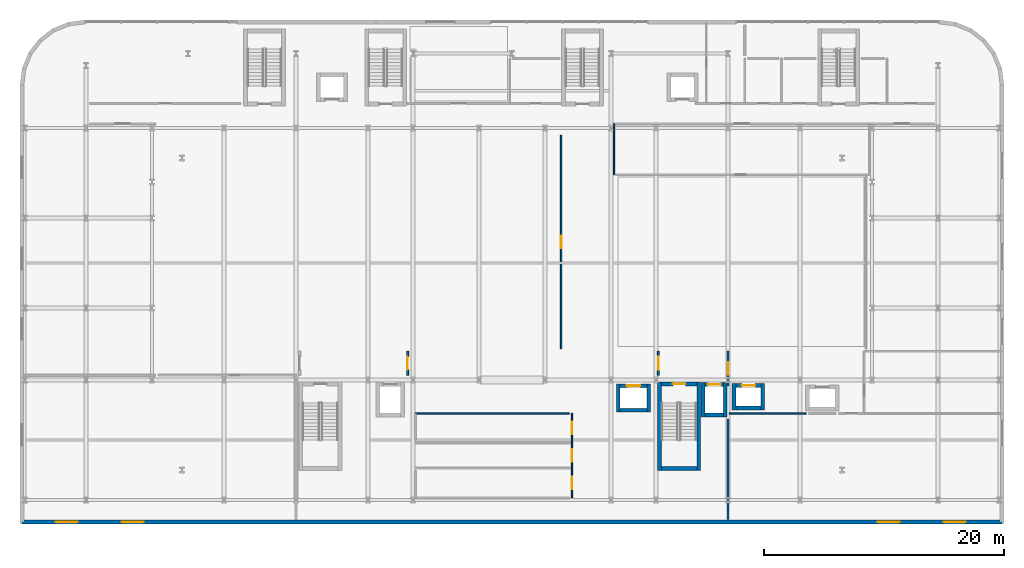
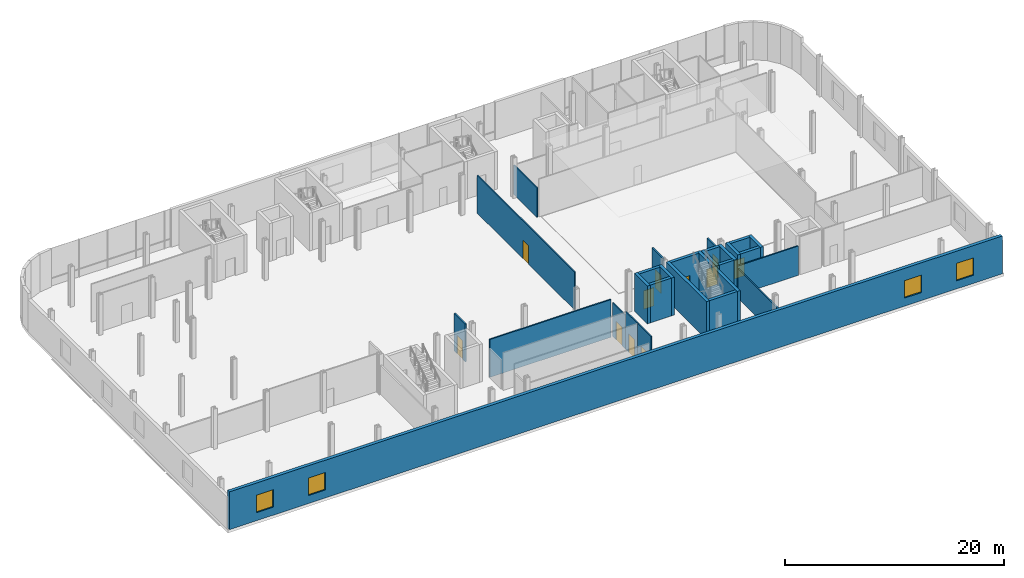
# One storey, part 18 of 25: 28 walls, 11 doors, 4 windows, 15 openings.
"""IFC4 building model written with IfcOpenShell, lengths in metres."""

from ifc_helpers import new_model, si_unit, direction, frame, frame_2d, origin, place, context, subcontext, project, spatial, rectangle, extrude, material, layer, layer_set, type_object, element, fill, save


model = new_model("IFC4")

# Units and contexts
model_context = context("Model", 3, precision=1e-05, world=origin(), true_north=direction((0.0, 1.0)))
body_context = subcontext(model_context, "Body", "Model", "MODEL_VIEW")
ifc_project = project(units=[si_unit("LENGTHUNIT", "METRE"), si_unit("AREAUNIT", "SQUARE_METRE"), si_unit("VOLUMEUNIT", "CUBIC_METRE"), si_unit("PLANEANGLEUNIT", "RADIAN"), si_unit("MASSUNIT", "GRAM", prefix="KILO")], contexts=[model_context])

# Site, building, storey
site_placement = place(None, origin())
site = spatial("IfcSite", under=ifc_project, at=site_placement, CompositionType="ELEMENT")
building_placement = place(site_placement, origin())
building = spatial("IfcBuilding", under=site, at=building_placement, Name="Brevholm Reach", CompositionType="ELEMENT")
storey_placement = place(building_placement, frame((0.0, 0.0, 4.5)))
storey = spatial("IfcBuildingStorey", under=building, at=storey_placement, Name="L01", CompositionType="ELEMENT", Elevation=4.5)

# Walls
ifc_material_1 = material(Name="Concrete C60/75", Category="concrete")
ifc_layer_1 = layer(ifc_material_1, 0.320068359375)
ifc_layer_set_1 = layer_set([ifc_layer_1], Name="Concrete C60/75")
wall_type_1 = type_object("IfcWallType", Name="WAL-COR-320", PredefinedType="SHEAR", material=ifc_layer_set_1)
for number, where, z_axis, x_axis, name in (
    (1, (42.2900390625, 2.4599609375, 0.0), (0.0, 0.0, 1.0), (0.0, 1.0, 0.0), "L01 Escape Stair ST-2 Core Wall W"),
    (2, (45.56005859375, 2.4599609375, 0.0), (0.0, 0.0, 1.0), (0.0, 1.0, 0.0), "L01 Escape Stair ST-2 Core Wall E"),
):
    element("IfcWall", number, at=place(storey_placement, frame(where, z_axis=z_axis, x_axis=x_axis)), inside=storey, type_object=wall_type_1, Name=name, PredefinedType="SHEAR", context=body_context, shape_type="SweptSolid", body=[
        extrude(rectangle(XDim=7.360107421875, YDim=0.320068359375, at=frame_2d((3.68017578125, 0.0))), origin(), (0.0, 0.0, 1.0), 4.219970703125),
    ])
wall_1_placement = place(storey_placement, frame((42.449951171875, 2.6201171875, 0.0), z_axis=(0.0, 0.0, 1.0), x_axis=(1.0, 0.0, 0.0)))
element("IfcWall", 3, at=wall_1_placement, inside=storey, type_object=wall_type_1, Name="L01 Escape Stair ST-2 Core Wall S", PredefinedType="SHEAR", context=body_context, shape_type="SweptSolid", body=[
    extrude(rectangle(XDim=2.949951171875, YDim=0.320068359375, at=frame_2d((1.47509765625, 0.0))), origin(), (0.0, 0.0, 1.0), 4.219970703125),
])

# Wall, opening, door
wall_2_placement = place(storey_placement, frame((45.39990234375, 9.659912109375, 0.0), z_axis=(0.0, 0.0, 1.0), x_axis=(-1.0, 0.0, 0.0)))
wall_2 = element("IfcWall", 4, at=wall_2_placement, inside=storey, type_object=wall_type_1, Name="L01 Escape Stair ST-2 Core Wall N", PredefinedType="SHEAR", context=body_context, shape_type="SweptSolid", body=[
    extrude(rectangle(XDim=2.949951171875, YDim=0.320068359375, at=frame_2d((1.47509765625, 0.0))), origin(), (0.0, 0.0, 1.0), 4.219970703125),
])
opening_1_placement = place(wall_2_placement, frame((0.949951171875, 0.0, 0.0)))
opening_1 = element("IfcOpeningElement", 5, at=opening_1_placement, cuts=wall_2, Name="Opening SD-ST-2", PredefinedType="OPENING", context=body_context, shape_type="SweptSolid", body=[
    extrude(rectangle(XDim=1.050048828125, YDim=2.06005859375, at=frame_2d((0.52490234375, 1.030029296875))), frame((0.0, 0.169921875, 0.0), z_axis=(0.0, -1.0, 0.0), x_axis=(1.0, 0.0, 0.0)), (0.0, 0.0, 1.0), 0.340087890625),
])
ifc_material_2 = material(Name="Hardwood-Lipped Steel-Core Fire and Smoke Door", Category="steel")
door_type_1 = type_object("IfcDoorType", Name="DOR-INT-FD60S", OperationType="NOTDEFINED", PredefinedType="DOOR", material=ifc_material_2)
door_1_placement = place(opening_1_placement, origin())
door_1 = element("IfcDoor", 6, at=door_1_placement, inside=storey, type_object=door_type_1, Name="L01 Protected Stair ST-2 Lobby Door", OperationType="SINGLE_SWING_RIGHT", OverallHeight=2.06005859375, OverallWidth=1.050048828125, PredefinedType="DOOR", context=body_context, shape_type="SweptSolid", body=[
    extrude(rectangle(XDim=1.050048828125, YDim=2.06005859375, at=frame_2d((0.52490234375, 1.030029296875))), frame((0.0, 0.02490234375, 0.0), z_axis=(0.0, -1.0, 0.0), x_axis=(1.0, 0.0, 0.0)), (0.0, 0.0, 1.0), 0.050048828125),
])
fill(opening_1, door_1)

# Walls
for number, where, z_axis, x_axis, name in (
    (7, (45.929931640625, 6.919921875, 0.0), (0.0, 0.0, 1.0), (0.0, 1.0, 0.0), "L01 Lift FFL-2 Shaft Wall W"),
    (8, (47.77001953125, 6.919921875, 0.0), (0.0, 0.0, 1.0), (0.0, 1.0, 0.0), "L01 Lift FFL-2 Shaft Wall E"),
):
    element("IfcWall", number, at=place(storey_placement, frame(where, z_axis=z_axis, x_axis=x_axis)), inside=storey, type_object=wall_type_1, Name=name, PredefinedType="SHEAR", context=body_context, shape_type="SweptSolid", body=[
        extrude(rectangle(XDim=2.860107421875, YDim=0.320068359375, at=frame_2d((1.43017578125, 0.0))), origin(), (0.0, 0.0, 1.0), 4.219970703125),
    ])
wall_3_placement = place(storey_placement, frame((46.090087890625, 7.080078125, 0.0), z_axis=(0.0, 0.0, 1.0), x_axis=(1.0, 0.0, 0.0)))
element("IfcWall", 9, at=wall_3_placement, inside=storey, type_object=wall_type_1, Name="L01 Lift FFL-2 Shaft Wall S", PredefinedType="SHEAR", context=body_context, shape_type="SweptSolid", body=[
    extrude(rectangle(XDim=1.52001953125, YDim=0.320068359375, at=frame_2d((0.760009765625, 0.0))), origin(), (0.0, 0.0, 1.0), 4.219970703125),
])

# Wall, opening, door
wall_4_placement = place(storey_placement, frame((46.090087890625, 9.6201171875, 0.0), z_axis=(0.0, 0.0, 1.0), x_axis=(1.0, 0.0, 0.0)))
wall_4 = element("IfcWall", 10, at=wall_4_placement, inside=storey, type_object=wall_type_1, Name="L01 Lift FFL-2 Shaft Wall N", PredefinedType="SHEAR", context=body_context, shape_type="SweptSolid", body=[
    extrude(rectangle(XDim=1.52001953125, YDim=0.320068359375, at=frame_2d((0.760009765625, 0.0))), origin(), (0.0, 0.0, 1.0), 4.219970703125),
])
opening_2_placement = place(wall_4_placement, frame((0.2099609375, 0.0, 0.0)))
opening_2 = element("IfcOpeningElement", 11, at=opening_2_placement, cuts=wall_4, Name="Opening LD-FFL-2", PredefinedType="OPENING", context=body_context, shape_type="SweptSolid", body=[
    extrude(rectangle(XDim=1.10009765625, YDim=2.06005859375, at=frame_2d((0.550048828125, 1.030029296875))), frame((0.0, 0.169921875, 0.0), z_axis=(0.0, -1.0, 0.0), x_axis=(1.0, 0.0, 0.0)), (0.0, 0.0, 1.0), 0.340087890625),
])
ifc_material_3 = material(Name="Brushed Stainless Steel Fire-Rated Sliding Lift Door", Category="steel")
door_type_2 = type_object("IfcDoorType", Name="DOR-LFT-1100", OperationType="NOTDEFINED", PredefinedType="DOOR", material=ifc_material_3)
door_2_placement = place(opening_2_placement, origin())
door_2 = element("IfcDoor", 12, at=door_2_placement, inside=storey, type_object=door_type_2, Name="L01 Lift FFL-2 Sliding Landing Door", OperationType="SLIDING_TO_RIGHT", OverallHeight=2.06005859375, OverallWidth=1.10009765625, PredefinedType="DOOR", context=body_context, shape_type="SweptSolid", body=[
    extrude(rectangle(XDim=1.10009765625, YDim=2.06005859375, at=frame_2d((0.550048828125, 1.030029296875))), frame((0.0, 0.02490234375, 0.0), z_axis=(0.0, -1.0, 0.0), x_axis=(1.0, 0.0, 0.0)), (0.0, 0.0, 1.0), 0.050048828125),
])
fill(opening_2, door_2)

# Walls
for number, where, z_axis, x_axis, name in (
    (13, (48.5048828125, 7.4951171875, 0.0), (0.0, 0.0, 1.0), (0.0, 1.0, 0.0), "L01 Lift PL-L1 Shaft Wall W"),
    (14, (50.89501953125, 7.4951171875, 0.0), (0.0, 0.0, 1.0), (0.0, 1.0, 0.0), "L01 Lift PL-L1 Shaft Wall E"),
):
    element("IfcWall", number, at=place(storey_placement, frame(where, z_axis=z_axis, x_axis=x_axis)), inside=storey, type_object=wall_type_1, Name=name, PredefinedType="SHEAR", context=body_context, shape_type="SweptSolid", body=[
        extrude(rectangle(XDim=2.2099609375, YDim=0.320068359375, at=frame_2d((1.10498046875, 0.0))), origin(), (0.0, 0.0, 1.0), 4.219970703125),
    ])
wall_5_placement = place(storey_placement, frame((48.6650390625, 7.655029296875, 0.0), z_axis=(0.0, 0.0, 1.0), x_axis=(1.0, 0.0, 0.0)))
element("IfcWall", 15, at=wall_5_placement, inside=storey, type_object=wall_type_1, Name="L01 Lift PL-L1 Shaft Wall S", PredefinedType="SHEAR", context=body_context, shape_type="SweptSolid", body=[
    extrude(rectangle(XDim=2.070068359375, YDim=0.320068359375, at=frame_2d((1.03515625, 0.0))), origin(), (0.0, 0.0, 1.0), 4.219970703125),
])

# Wall, opening, door
wall_6_placement = place(storey_placement, frame((48.6650390625, 9.544921875, 0.0), z_axis=(0.0, 0.0, 1.0), x_axis=(1.0, 0.0, 0.0)))
wall_6 = element("IfcWall", 16, at=wall_6_placement, inside=storey, type_object=wall_type_1, Name="L01 Lift PL-L1 Shaft Wall N", PredefinedType="SHEAR", context=body_context, shape_type="SweptSolid", body=[
    extrude(rectangle(XDim=2.070068359375, YDim=0.320068359375, at=frame_2d((1.03515625, 0.0))), origin(), (0.0, 0.0, 1.0), 4.219970703125),
])
opening_3_placement = place(wall_6_placement, frame((0.485107421875, 0.0, 0.0)))
opening_3 = element("IfcOpeningElement", 17, at=opening_3_placement, cuts=wall_6, Name="Opening LD-PL-L1", PredefinedType="OPENING", context=body_context, shape_type="SweptSolid", body=[
    extrude(rectangle(XDim=1.10009765625, YDim=2.06005859375, at=frame_2d((0.550048828125, 1.030029296875))), frame((0.0, 0.169921875, 0.0), z_axis=(0.0, -1.0, 0.0), x_axis=(1.0, 0.0, 0.0)), (0.0, 0.0, 1.0), 0.340087890625),
])
door_3_placement = place(opening_3_placement, origin())
door_3 = element("IfcDoor", 18, at=door_3_placement, inside=storey, type_object=door_type_2, Name="L01 Lift PL-L1 Sliding Landing Door", OperationType="SLIDING_TO_LEFT", OverallHeight=2.06005859375, OverallWidth=1.10009765625, PredefinedType="DOOR", context=body_context, shape_type="SweptSolid", body=[
    extrude(rectangle(XDim=1.10009765625, YDim=2.06005859375, at=frame_2d((0.550048828125, 1.030029296875))), frame((0.0, 0.02490234375, 0.0), z_axis=(0.0, -1.0, 0.0), x_axis=(1.0, 0.0, 0.0)), (0.0, 0.0, 1.0), 0.050048828125),
])
fill(opening_3, door_3)

# Walls
for number, where, z_axis, x_axis, name in (
    (19, (38.85009765625, 7.320068359375, 0.0), (0.0, 0.0, 1.0), (0.0, 1.0, 0.0), "L01 Lift PL-S1 Shaft Wall W"),
    (20, (41.389892578125, 7.320068359375, 0.0), (0.0, 0.0, 1.0), (0.0, 1.0, 0.0), "L01 Lift PL-S1 Shaft Wall E"),
):
    element("IfcWall", number, at=place(storey_placement, frame(where, z_axis=z_axis, x_axis=x_axis)), inside=storey, type_object=wall_type_1, Name=name, PredefinedType="SHEAR", context=body_context, shape_type="SweptSolid", body=[
        extrude(rectangle(XDim=2.35986328125, YDim=0.320068359375, at=frame_2d((1.179931640625, 0.0))), origin(), (0.0, 0.0, 1.0), 4.219970703125),
    ])
wall_7_placement = place(storey_placement, frame((39.010009765625, 7.47998046875, 0.0), z_axis=(0.0, 0.0, 1.0), x_axis=(1.0, 0.0, 0.0)))
element("IfcWall", 21, at=wall_7_placement, inside=storey, type_object=wall_type_1, Name="L01 Lift PL-S1 Shaft Wall S", PredefinedType="SHEAR", context=body_context, shape_type="SweptSolid", body=[
    extrude(rectangle(XDim=2.219970703125, YDim=0.320068359375, at=frame_2d((1.10986328125, 0.0))), origin(), (0.0, 0.0, 1.0), 4.219970703125),
])

# Wall, opening, door
wall_8_placement = place(storey_placement, frame((39.010009765625, 9.52001953125, 0.0), z_axis=(0.0, 0.0, 1.0), x_axis=(1.0, 0.0, 0.0)))
wall_8 = element("IfcWall", 22, at=wall_8_placement, inside=storey, type_object=wall_type_1, Name="L01 Lift PL-S1 Shaft Wall N", PredefinedType="SHEAR", context=body_context, shape_type="SweptSolid", body=[
    extrude(rectangle(XDim=2.219970703125, YDim=0.320068359375, at=frame_2d((1.10986328125, 0.0))), origin(), (0.0, 0.0, 1.0), 4.219970703125),
])
opening_4_placement = place(wall_8_placement, frame((0.56005859375, 0.0, 0.0)))
opening_4 = element("IfcOpeningElement", 23, at=opening_4_placement, cuts=wall_8, Name="Opening LD-PL-S1", PredefinedType="OPENING", context=body_context, shape_type="SweptSolid", body=[
    extrude(rectangle(XDim=1.10009765625, YDim=2.06005859375, at=frame_2d((0.550048828125, 1.030029296875))), frame((0.0, 0.169921875, 0.0), z_axis=(0.0, -1.0, 0.0), x_axis=(1.0, 0.0, 0.0)), (0.0, 0.0, 1.0), 0.340087890625),
])
door_4_placement = place(opening_4_placement, origin())
door_4 = element("IfcDoor", 24, at=door_4_placement, inside=storey, type_object=door_type_2, Name="L01 Lift PL-S1 Sliding Landing Door", OperationType="SLIDING_TO_LEFT", OverallHeight=2.06005859375, OverallWidth=1.10009765625, PredefinedType="DOOR", context=body_context, shape_type="SweptSolid", body=[
    extrude(rectangle(XDim=1.10009765625, YDim=2.06005859375, at=frame_2d((0.550048828125, 1.030029296875))), frame((0.0, 0.02490234375, 0.0), z_axis=(0.0, -1.0, 0.0), x_axis=(1.0, 0.0, 0.0)), (0.0, 0.0, 1.0), 0.050048828125),
])
fill(opening_4, door_4)

# Wall, openings, windows
ifc_material_4 = material(Name="Concrete C40/50", Category="concrete")
ifc_layer_2 = layer(ifc_material_4, 0.340087890625)
ifc_layer_set_2 = layer_set([ifc_layer_2], Name="Concrete C40/50")
wall_type_2 = type_object("IfcWallType", Name="WAL-EXT-340", PredefinedType="STANDARD", material=ifc_layer_set_2)
wall_9_placement = place(storey_placement, frame((-10.830078125, -1.830078125, 0.0), z_axis=(0.0, 0.0, 1.0), x_axis=(1.0, 0.0, 0.0)))
wall_9 = element("IfcWall", 25, at=wall_9_placement, inside=storey, type_object=wall_type_2, Name="L01 Facade Wall WAL-L01-S", PredefinedType="STANDARD", context=body_context, shape_type="SweptSolid", body=[
    extrude(rectangle(XDim=81.66015625, YDim=0.340087890625, at=frame_2d((40.830078125, 0.0))), origin(), (0.0, 0.0, 1.0), 4.219970703125),
])
opening_5_placement = place(wall_9_placement, frame((2.830078125, 0.0, 0.89990234375)))
opening_5 = element("IfcOpeningElement", 26, at=opening_5_placement, cuts=wall_9, Name="Opening WN-01", PredefinedType="OPENING", context=body_context, shape_type="SweptSolid", body=[
    extrude(rectangle(XDim=1.800048828125, YDim=1.949951171875, at=frame_2d((0.89990234375, 0.97509765625))), frame((0.0, 0.179931640625, 0.0), z_axis=(0.0, -1.0, 0.0), x_axis=(1.0, 0.0, 0.0)), (0.0, 0.0, 1.0), 0.360107421875),
])
opening_6_placement = place(wall_9_placement, frame((8.330078125, 0.0, 0.89990234375)))
opening_6 = element("IfcOpeningElement", 27, at=opening_6_placement, cuts=wall_9, Name="Opening WN-01", PredefinedType="OPENING", context=body_context, shape_type="SweptSolid", body=[
    extrude(rectangle(XDim=1.800048828125, YDim=1.949951171875, at=frame_2d((0.89990234375, 0.97509765625))), frame((0.0, 0.179931640625, 0.0), z_axis=(0.0, -1.0, 0.0), x_axis=(1.0, 0.0, 0.0)), (0.0, 0.0, 1.0), 0.360107421875),
])
opening_7_placement = place(wall_9_placement, frame((71.330078125, 0.0, 0.89990234375)))
opening_7 = element("IfcOpeningElement", 28, at=opening_7_placement, cuts=wall_9, Name="Opening WN-01", PredefinedType="OPENING", context=body_context, shape_type="SweptSolid", body=[
    extrude(rectangle(XDim=1.800048828125, YDim=1.949951171875, at=frame_2d((0.89990234375, 0.97509765625))), frame((0.0, 0.179931640625, 0.0), z_axis=(0.0, -1.0, 0.0), x_axis=(1.0, 0.0, 0.0)), (0.0, 0.0, 1.0), 0.360107421875),
])
opening_8_placement = place(wall_9_placement, frame((76.830078125, 0.0, 0.89990234375)))
opening_8 = element("IfcOpeningElement", 29, at=opening_8_placement, cuts=wall_9, Name="Opening WN-01", PredefinedType="OPENING", context=body_context, shape_type="SweptSolid", body=[
    extrude(rectangle(XDim=1.800048828125, YDim=1.949951171875, at=frame_2d((0.89990234375, 0.97509765625))), frame((0.0, 0.179931640625, 0.0), z_axis=(0.0, -1.0, 0.0), x_axis=(1.0, 0.0, 0.0)), (0.0, 0.0, 1.0), 0.360107421875),
])
ifc_material_5 = material(Name="Dark Anodised Aluminium and Solar-Control IGU Glass", Category="aluminium")
window_type = type_object("IfcWindowType", Name="WIN-SCH-1800", PartitioningType="SINGLE_PANEL", PredefinedType="WINDOW", material=ifc_material_5)
window_1_placement = place(opening_5_placement, origin())
window_1 = element("IfcWindow", 30, at=window_1_placement, inside=storey, type_object=window_type, Name="L01 Window WIN-L01-S-1", OverallHeight=1.949951171875, OverallWidth=1.800048828125, PartitioningType="SINGLE_PANEL", PredefinedType="WINDOW", context=body_context, shape_type="SweptSolid", body=[
    extrude(rectangle(XDim=1.800048828125, YDim=1.949951171875, at=frame_2d((0.89990234375, 0.97509765625))), frame((0.0, 0.030029296875, 0.0), z_axis=(0.0, -1.0, 0.0), x_axis=(1.0, 0.0, 0.0)), (0.0, 0.0, 1.0), 0.06005859375),
])
fill(opening_5, window_1)
window_2_placement = place(opening_6_placement, origin())
window_2 = element("IfcWindow", 31, at=window_2_placement, inside=storey, type_object=window_type, Name="L01 Window WIN-L01-S-2", OverallHeight=1.949951171875, OverallWidth=1.800048828125, PartitioningType="SINGLE_PANEL", PredefinedType="WINDOW", context=body_context, shape_type="SweptSolid", body=[
    extrude(rectangle(XDim=1.800048828125, YDim=1.949951171875, at=frame_2d((0.89990234375, 0.97509765625))), frame((0.0, 0.030029296875, 0.0), z_axis=(0.0, -1.0, 0.0), x_axis=(1.0, 0.0, 0.0)), (0.0, 0.0, 1.0), 0.06005859375),
])
fill(opening_6, window_2)
window_3_placement = place(opening_7_placement, origin())
window_3 = element("IfcWindow", 32, at=window_3_placement, inside=storey, type_object=window_type, Name="L01 Window WIN-L01-S-3", OverallHeight=1.949951171875, OverallWidth=1.800048828125, PartitioningType="SINGLE_PANEL", PredefinedType="WINDOW", context=body_context, shape_type="SweptSolid", body=[
    extrude(rectangle(XDim=1.800048828125, YDim=1.949951171875, at=frame_2d((0.89990234375, 0.97509765625))), frame((0.0, 0.030029296875, 0.0), z_axis=(0.0, -1.0, 0.0), x_axis=(1.0, 0.0, 0.0)), (0.0, 0.0, 1.0), 0.06005859375),
])
fill(opening_7, window_3)
window_4_placement = place(opening_8_placement, origin())
window_4 = element("IfcWindow", 33, at=window_4_placement, inside=storey, type_object=window_type, Name="L01 Window WIN-L01-S-4", OverallHeight=1.949951171875, OverallWidth=1.800048828125, PartitioningType="SINGLE_PANEL", PredefinedType="WINDOW", context=body_context, shape_type="SweptSolid", body=[
    extrude(rectangle(XDim=1.800048828125, YDim=1.949951171875, at=frame_2d((0.89990234375, 0.97509765625))), frame((0.0, 0.030029296875, 0.0), z_axis=(0.0, -1.0, 0.0), x_axis=(1.0, 0.0, 0.0)), (0.0, 0.0, 1.0), 0.06005859375),
])
fill(opening_8, window_4)

# Wall, opening, door
ifc_material_6 = material(Name="Acoustic Fire-Rated Classroom Gypsum Partition 120 mm", Category="gypsum")
ifc_layer_3 = layer(ifc_material_6, 0.1201171875)
ifc_layer_set_3 = layer_set([ifc_layer_3], Name="Acoustic Fire-Rated Classroom Gypsum Partition 120 mm")
wall_type_3 = type_object("IfcWallType", Name="WAL-PRT-120", PredefinedType="PARTITIONING", material=ifc_layer_set_3)
wall_10_placement = place(storey_placement, frame((35.0, 0.179931640625, 0.0), z_axis=(0.0, 0.0, 1.0), x_axis=(0.0, 1.0, 0.0)))
wall_10 = element("IfcWall", 34, at=wall_10_placement, inside=storey, type_object=wall_type_3, Name="L01 Internal Partition 001", PredefinedType="PARTITIONING", context=body_context, shape_type="SweptSolid", body=[
    extrude(rectangle(XDim=2.48828125, YDim=0.1201171875, at=frame_2d((1.244140625, 0.0))), origin(), (0.0, 0.0, 1.0), 4.219970703125),
])
opening_9_placement = place(wall_10_placement, frame((0.718994140625, 0.0, 0.0)))
opening_9 = element("IfcOpeningElement", 35, at=opening_9_placement, cuts=wall_10, Name="Opening FD-01", PredefinedType="OPENING", context=body_context, shape_type="SweptSolid", body=[
    extrude(rectangle(XDim=1.050048828125, YDim=2.06005859375, at=frame_2d((0.52490234375, 1.030029296875))), frame((0.0, 0.070068359375, 0.0), z_axis=(0.0, -1.0, 0.0), x_axis=(1.0, 0.0, 0.0)), (0.0, 0.0, 1.0), 0.14013671875),
])
door_5_placement = place(opening_9_placement, origin())
door_5 = element("IfcDoor", 36, at=door_5_placement, inside=storey, type_object=door_type_1, Name="L01 Internal Door 001", OperationType="SINGLE_SWING_LEFT", OverallHeight=2.06005859375, OverallWidth=1.050048828125, PredefinedType="DOOR", context=body_context, shape_type="SweptSolid", body=[
    extrude(rectangle(XDim=1.050048828125, YDim=2.06005859375, at=frame_2d((0.52490234375, 1.030029296875))), frame((0.0, 0.02490234375, 0.0), z_axis=(0.0, -1.0, 0.0), x_axis=(1.0, 0.0, 0.0)), (0.0, 0.0, 1.0), 0.050048828125),
])
fill(opening_9, door_5)

wall_11_placement = place(storey_placement, frame((35.0, 2.649658203125, 0.0), z_axis=(0.0, 0.0, 1.0), x_axis=(0.0, 1.0, 0.0)))
wall_11 = element("IfcWall", 37, at=wall_11_placement, inside=storey, type_object=wall_type_3, Name="L01 Internal Partition 002", PredefinedType="PARTITIONING", context=body_context, shape_type="SweptSolid", body=[
    extrude(rectangle(XDim=2.126708984375, YDim=0.1201171875, at=frame_2d((1.0634765625, 0.0))), origin(), (0.0, 0.0, 1.0), 4.219970703125),
])
opening_10_placement = place(wall_11_placement, frame((0.538330078125, 0.0, 0.0)))
opening_10 = element("IfcOpeningElement", 38, at=opening_10_placement, cuts=wall_11, Name="Opening FD-01", PredefinedType="OPENING", context=body_context, shape_type="SweptSolid", body=[
    extrude(rectangle(XDim=1.050048828125, YDim=2.06005859375, at=frame_2d((0.52490234375, 1.030029296875))), frame((0.0, 0.070068359375, 0.0), z_axis=(0.0, -1.0, 0.0), x_axis=(1.0, 0.0, 0.0)), (0.0, 0.0, 1.0), 0.14013671875),
])
door_6_placement = place(opening_10_placement, origin())
door_6 = element("IfcDoor", 39, at=door_6_placement, inside=storey, type_object=door_type_1, Name="L01 Internal Door 002", OperationType="SINGLE_SWING_RIGHT", OverallHeight=2.06005859375, OverallWidth=1.050048828125, PredefinedType="DOOR", context=body_context, shape_type="SweptSolid", body=[
    extrude(rectangle(XDim=1.050048828125, YDim=2.06005859375, at=frame_2d((0.52490234375, 1.030029296875))), frame((0.0, 0.02490234375, 0.0), z_axis=(0.0, -1.0, 0.0), x_axis=(1.0, 0.0, 0.0)), (0.0, 0.0, 1.0), 0.050048828125),
])
fill(opening_10, door_6)

wall_12_placement = place(storey_placement, frame((35.0, 4.7578125, 0.0), z_axis=(0.0, 0.0, 1.0), x_axis=(0.0, 1.0, 0.0)))
wall_12 = element("IfcWall", 40, at=wall_12_placement, inside=storey, type_object=wall_type_3, Name="L01 Internal Partition 003", PredefinedType="PARTITIONING", context=body_context, shape_type="SweptSolid", body=[
    extrude(rectangle(XDim=2.453369140625, YDim=0.1201171875, at=frame_2d((1.2265625, 0.0))), origin(), (0.0, 0.0, 1.0), 3.738037109375),
])
opening_11_placement = place(wall_12_placement, frame((0.701904296875, 0.0, 0.0)))
opening_11 = element("IfcOpeningElement", 41, at=opening_11_placement, cuts=wall_12, Name="Opening FD-01", PredefinedType="OPENING", context=body_context, shape_type="SweptSolid", body=[
    extrude(rectangle(XDim=1.050048828125, YDim=2.06005859375, at=frame_2d((0.52490234375, 1.030029296875))), frame((0.0, 0.070068359375, 0.0), z_axis=(0.0, -1.0, 0.0), x_axis=(1.0, 0.0, 0.0)), (0.0, 0.0, 1.0), 0.14013671875),
])
door_7_placement = place(opening_11_placement, origin())
door_7 = element("IfcDoor", 42, at=door_7_placement, inside=storey, type_object=door_type_1, Name="L01 Internal Door 003", OperationType="SINGLE_SWING_LEFT", OverallHeight=2.06005859375, OverallWidth=1.050048828125, PredefinedType="DOOR", context=body_context, shape_type="SweptSolid", body=[
    extrude(rectangle(XDim=1.050048828125, YDim=2.06005859375, at=frame_2d((0.52490234375, 1.030029296875))), frame((0.0, 0.02490234375, 0.0), z_axis=(0.0, -1.0, 0.0), x_axis=(1.0, 0.0, 0.0)), (0.0, 0.0, 1.0), 0.050048828125),
])
fill(opening_11, door_7)

wall_13_placement = place(storey_placement, frame((34.10009765625, 12.588623046875, 0.0), z_axis=(0.0, 0.0, 1.0), x_axis=(0.0, 1.0, 0.0)))
wall_13 = element("IfcWall", 43, at=wall_13_placement, inside=storey, type_object=wall_type_3, Name="L01 Internal Partition 023", PredefinedType="PARTITIONING", context=body_context, shape_type="SweptSolid", body=[
    extrude(rectangle(XDim=17.82275390625, YDim=0.1201171875, at=frame_2d((8.911376953125, 0.0))), origin(), (0.0, 0.0, 1.0), 4.219970703125),
])
opening_12_placement = place(wall_13_placement, frame((8.38623046875, 0.0, 0.0)))
opening_12 = element("IfcOpeningElement", 44, at=opening_12_placement, cuts=wall_13, Name="Opening FD-01", PredefinedType="OPENING", context=body_context, shape_type="SweptSolid", body=[
    extrude(rectangle(XDim=1.050048828125, YDim=2.06005859375, at=frame_2d((0.52490234375, 1.030029296875))), frame((0.0, 0.070068359375, 0.0), z_axis=(0.0, -1.0, 0.0), x_axis=(1.0, 0.0, 0.0)), (0.0, 0.0, 1.0), 0.14013671875),
])
door_8_placement = place(opening_12_placement, origin())
door_8 = element("IfcDoor", 45, at=door_8_placement, inside=storey, type_object=door_type_1, Name="L01 Internal Door 020", OperationType="SINGLE_SWING_RIGHT", OverallHeight=2.06005859375, OverallWidth=1.050048828125, PredefinedType="DOOR", context=body_context, shape_type="SweptSolid", body=[
    extrude(rectangle(XDim=1.050048828125, YDim=2.06005859375, at=frame_2d((0.52490234375, 1.030029296875))), frame((0.0, 0.02490234375, 0.0), z_axis=(0.0, -1.0, 0.0), x_axis=(1.0, 0.0, 0.0)), (0.0, 0.0, 1.0), 0.050048828125),
])
fill(opening_12, door_8)

# Walls
wall_14_placement = place(storey_placement, frame((38.5, 27.088623046875, 0.0), z_axis=(0.0, 0.0, 1.0), x_axis=(0.0, 1.0, 0.0)))
element("IfcWall", 46, at=wall_14_placement, inside=storey, type_object=wall_type_3, Name="L01 Internal Partition 024", PredefinedType="PARTITIONING", context=body_context, shape_type="SweptSolid", body=[
    extrude(rectangle(XDim=4.25732421875, YDim=0.1201171875, at=frame_2d((2.128662109375, 0.0))), origin(), (0.0, 0.0, 1.0), 3.268310546875),
])
ifc_material_7 = material(Name="Twin-Stud Acoustic Fire-Rated Gypsum Partition 140 mm", Category="gypsum")
ifc_layer_4 = layer(ifc_material_7, 0.139892578125)
ifc_layer_set_4 = layer_set([ifc_layer_4], Name="Twin-Stud Acoustic Fire-Rated Gypsum Partition 140 mm")
wall_type_4 = type_object("IfcWallType", Name="WAL-PRT-140", PredefinedType="PARTITIONING", material=ifc_layer_set_4)
wall_15_placement = place(storey_placement, frame((21.949951171875, 7.199951171875, 0.0), z_axis=(0.0, 0.0, 1.0), x_axis=(1.0, 0.0, 0.0)))
element("IfcWall", 47, at=wall_15_placement, inside=storey, type_object=wall_type_4, Name="L01 Internal Partition 040", PredefinedType="PARTITIONING", context=body_context, shape_type="SweptSolid", body=[
    extrude(rectangle(XDim=12.81005859375, YDim=0.139892578125, at=frame_2d((6.405029296875, 0.0))), origin(), (0.0, 0.0, 1.0), 4.219970703125),
])
wall_16_placement = place(storey_placement, frame((48.110107421875, 7.199951171875, 0.0), z_axis=(0.0, 0.0, 1.0), x_axis=(1.0, 0.0, 0.0)))
element("IfcWall", 48, at=wall_16_placement, inside=storey, type_object=wall_type_4, Name="L01 Internal Partition 050", PredefinedType="PARTITIONING", context=body_context, shape_type="SweptSolid", body=[
    extrude(rectangle(XDim=6.42431640625, YDim=0.139892578125, at=frame_2d((3.212158203125, 0.0))), origin(), (0.0, 0.0, 1.0), 3.268310546875),
])
wall_17_placement = place(storey_placement, frame((48.0, -1.590087890625, 0.0), z_axis=(0.0, 0.0, 1.0), x_axis=(0.0, 1.0, 0.0)))
element("IfcWall", 49, at=wall_17_placement, inside=storey, type_object=wall_type_4, Name="L01 Internal Partition 051", PredefinedType="PARTITIONING", context=body_context, shape_type="SweptSolid", body=[
    extrude(rectangle(XDim=8.33349609375, YDim=0.139892578125, at=frame_2d((4.166748046875, 0.0))), origin(), (0.0, 0.0, 1.0), 3.268310546875),
])

# Wall, opening, door
ifc_material_8 = material(Name="Twin-Frame Fire-Rated Gypsum Board and Mineral Wool 160 mm", Category="gypsum")
ifc_layer_5 = layer(ifc_material_8, 0.159912109375)
ifc_layer_set_5 = layer_set([ifc_layer_5], Name="Twin-Frame Fire-Rated Gypsum Board and Mineral Wool 160 mm")
wall_type_5 = type_object("IfcWallType", Name="WAL-PRT-160", PredefinedType="PARTITIONING", material=ifc_layer_set_5)
wall_18_placement = place(storey_placement, frame((21.300048828125, 10.388671875, 0.0), z_axis=(0.0, 0.0, 1.0), x_axis=(0.0, 1.0, 0.0)))
wall_18 = element("IfcWall", 50, at=wall_18_placement, inside=storey, type_object=wall_type_5, Name="L01 Internal Partition 007", PredefinedType="PARTITIONING", context=body_context, shape_type="SweptSolid", body=[
    extrude(rectangle(XDim=2.01123046875, YDim=0.159912109375, at=frame_2d((1.005615234375, 0.0))), origin(), (0.0, 0.0, 1.0), 4.219970703125),
])
opening_13_placement = place(wall_18_placement, frame((0.480712890625, 0.0, 0.0)))
opening_13 = element("IfcOpeningElement", 51, at=opening_13_placement, cuts=wall_18, Name="Opening FD-01", PredefinedType="OPENING", context=body_context, shape_type="SweptSolid", body=[
    extrude(rectangle(XDim=1.050048828125, YDim=2.06005859375, at=frame_2d((0.52490234375, 1.030029296875))), frame((0.0, 0.08984375, 0.0), z_axis=(0.0, -1.0, 0.0), x_axis=(1.0, 0.0, 0.0)), (0.0, 0.0, 1.0), 0.179931640625),
])
door_9_placement = place(opening_13_placement, origin())
door_9 = element("IfcDoor", 52, at=door_9_placement, inside=storey, type_object=door_type_1, Name="L01 Internal Door 005", OperationType="SINGLE_SWING_LEFT", OverallHeight=2.06005859375, OverallWidth=1.050048828125, PredefinedType="DOOR", context=body_context, shape_type="SweptSolid", body=[
    extrude(rectangle(XDim=1.050048828125, YDim=2.06005859375, at=frame_2d((0.52490234375, 1.030029296875))), frame((0.0, 0.02490234375, 0.0), z_axis=(0.0, -1.0, 0.0), x_axis=(1.0, 0.0, 0.0)), (0.0, 0.0, 1.0), 0.050048828125),
])
fill(opening_13, door_9)

wall_19_placement = place(storey_placement, frame((42.199951171875, 10.388671875, 0.0), z_axis=(0.0, 0.0, 1.0), x_axis=(0.0, 1.0, 0.0)))
wall_19 = element("IfcWall", 53, at=wall_19_placement, inside=storey, type_object=wall_type_5, Name="L01 Internal Partition 008", PredefinedType="PARTITIONING", context=body_context, shape_type="SweptSolid", body=[
    extrude(rectangle(XDim=2.01123046875, YDim=0.159912109375, at=frame_2d((1.005615234375, 0.0))), origin(), (0.0, 0.0, 1.0), 4.219970703125),
])
opening_14_placement = place(wall_19_placement, frame((0.480712890625, 0.0, 0.0)))
opening_14 = element("IfcOpeningElement", 54, at=opening_14_placement, cuts=wall_19, Name="Opening FD-01", PredefinedType="OPENING", context=body_context, shape_type="SweptSolid", body=[
    extrude(rectangle(XDim=1.050048828125, YDim=2.06005859375, at=frame_2d((0.52490234375, 1.030029296875))), frame((0.0, 0.08984375, 0.0), z_axis=(0.0, -1.0, 0.0), x_axis=(1.0, 0.0, 0.0)), (0.0, 0.0, 1.0), 0.179931640625),
])
door_10_placement = place(opening_14_placement, origin())
door_10 = element("IfcDoor", 55, at=door_10_placement, inside=storey, type_object=door_type_1, Name="L01 Internal Door 006", OperationType="SINGLE_SWING_RIGHT", OverallHeight=2.06005859375, OverallWidth=1.050048828125, PredefinedType="DOOR", context=body_context, shape_type="SweptSolid", body=[
    extrude(rectangle(XDim=1.050048828125, YDim=2.06005859375, at=frame_2d((0.52490234375, 1.030029296875))), frame((0.0, 0.02490234375, 0.0), z_axis=(0.0, -1.0, 0.0), x_axis=(1.0, 0.0, 0.0)), (0.0, 0.0, 1.0), 0.050048828125),
])
fill(opening_14, door_10)

wall_20_placement = place(storey_placement, frame((48.0, 9.5, 0.0), z_axis=(0.0, 0.0, 1.0), x_axis=(0.0, 1.0, 0.0)))
wall_20 = element("IfcWall", 56, at=wall_20_placement, inside=storey, type_object=wall_type_5, Name="L01 Internal Partition 009", PredefinedType="PARTITIONING", context=body_context, shape_type="SweptSolid", body=[
    extrude(rectangle(XDim=2.89990234375, YDim=0.159912109375, at=frame_2d((1.449951171875, 0.0))), origin(), (0.0, 0.0, 1.0), 3.268310546875),
])
opening_15_placement = place(wall_20_placement, frame((0.925048828125, 0.0, 0.0)))
opening_15 = element("IfcOpeningElement", 57, at=opening_15_placement, cuts=wall_20, Name="Opening FD-01", PredefinedType="OPENING", context=body_context, shape_type="SweptSolid", body=[
    extrude(rectangle(XDim=1.050048828125, YDim=2.06005859375, at=frame_2d((0.52490234375, 1.030029296875))), frame((0.0, 0.08984375, 0.0), z_axis=(0.0, -1.0, 0.0), x_axis=(1.0, 0.0, 0.0)), (0.0, 0.0, 1.0), 0.179931640625),
])
door_11_placement = place(opening_15_placement, origin())
door_11 = element("IfcDoor", 58, at=door_11_placement, inside=storey, type_object=door_type_1, Name="L01 Internal Door 007", OperationType="SINGLE_SWING_LEFT", OverallHeight=2.06005859375, OverallWidth=1.050048828125, PredefinedType="DOOR", context=body_context, shape_type="SweptSolid", body=[
    extrude(rectangle(XDim=1.050048828125, YDim=2.06005859375, at=frame_2d((0.52490234375, 1.030029296875))), frame((0.0, 0.02490234375, 0.0), z_axis=(0.0, -1.0, 0.0), x_axis=(1.0, 0.0, 0.0)), (0.0, 0.0, 1.0), 0.050048828125),
])
fill(opening_15, door_11)

save(model, "model.ifc")
